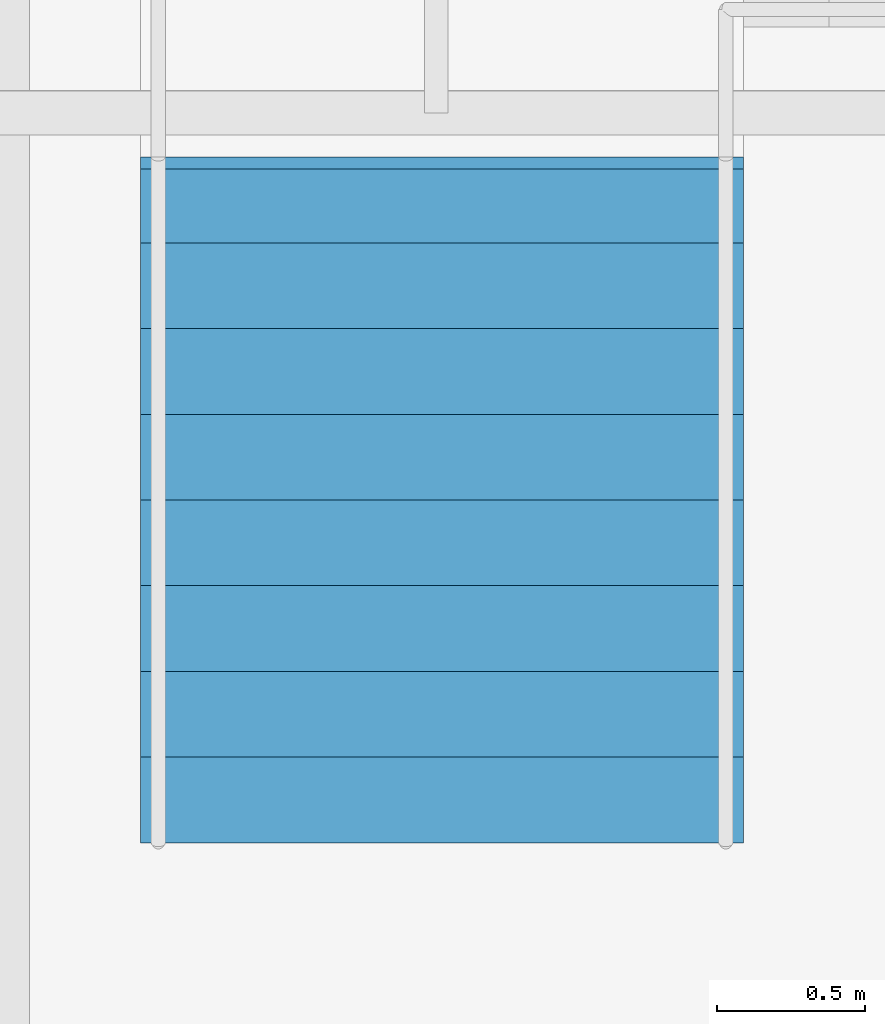
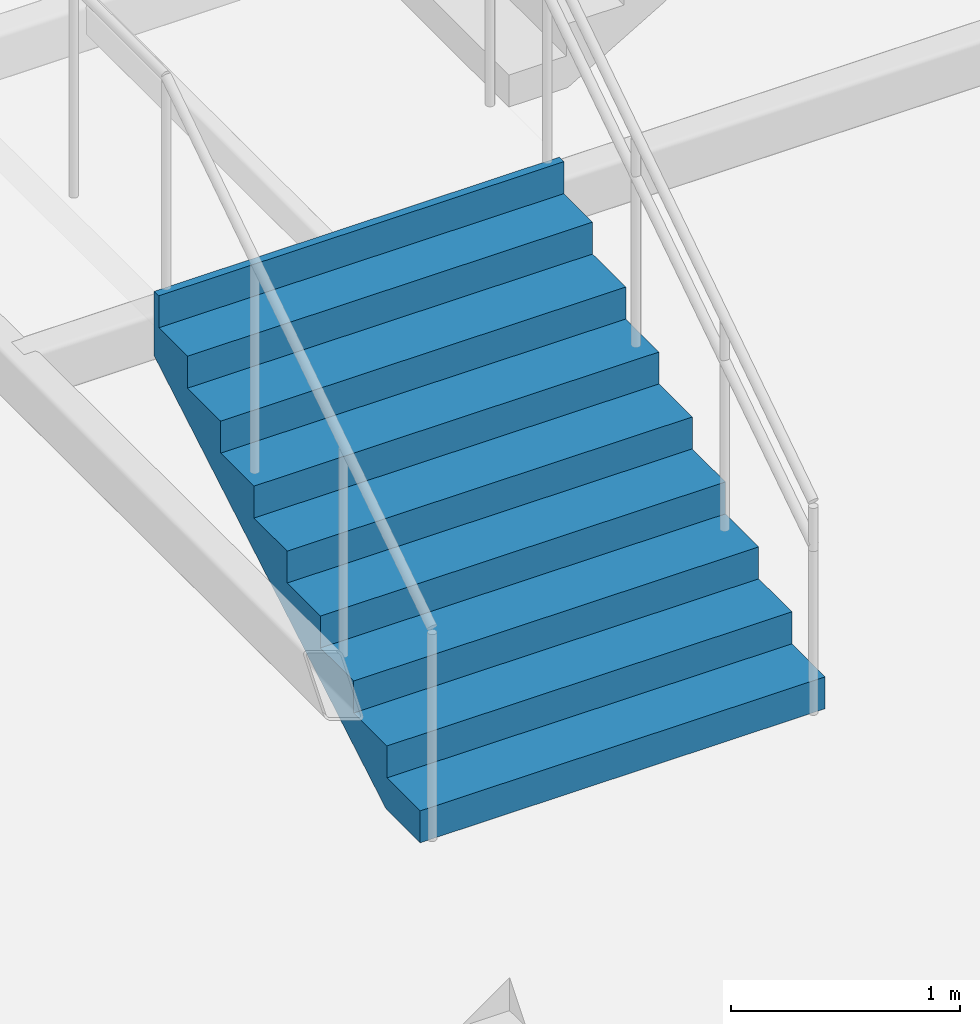
# One storey, part 46 of 58: 1 stair flight, 1 element without a shape of its own.
"""IFC4 building model written with IfcOpenShell, lengths in metres."""

from ifc_helpers import new_model, si_unit, direction, frame, origin, place, context, subcontext, project, spatial, triangles, material, type_object, element, aggregate, save


model = new_model("IFC4")

# Units and contexts
model_context = context("Model", 3, precision=1e-05, world=origin(), true_north=direction((0.0, 1.0)))
body_context = subcontext(model_context, "Body", "Model", "MODEL_VIEW")
ifc_project = project(units=[si_unit("LENGTHUNIT", "METRE"), si_unit("AREAUNIT", "SQUARE_METRE"), si_unit("VOLUMEUNIT", "CUBIC_METRE"), si_unit("PLANEANGLEUNIT", "RADIAN"), si_unit("MASSUNIT", "GRAM", prefix="KILO")], contexts=[model_context])

# Site, building, storey
site_placement = place(None, origin())
site = spatial("IfcSite", under=ifc_project, at=site_placement, CompositionType="ELEMENT")
building_placement = place(site_placement, origin())
building = spatial("IfcBuilding", under=site, at=building_placement, Name="Sillaruma Civic Art Gallery", CompositionType="ELEMENT")
storey_placement = place(building_placement, frame((0.0, 0.0, 28.56005859375)))
storey = spatial("IfcBuildingStorey", under=building, at=storey_placement, Name="L05", CompositionType="ELEMENT", Elevation=28.56005859375)

# Stair, stair flight
ifc_material = material(Name="Concrete H35 (35 MPa)", Category="concrete")
stair_type = type_object("IfcStairType", Name="STR-3F-27", PredefinedType="TWO_QUARTER_TURN_STAIR", material=ifc_material)
stair_placement = place(storey_placement, origin())
stair = element("IfcStair", 1, at=stair_placement, inside=storey, type_object=stair_type, Name="Monumental Gallery Feature Stair ST-G02 (L05)", PredefinedType="TWO_QUARTER_TURN_STAIR")
stair_flight_type = type_object("IfcStairFlightType", Name="SFL-STR-9", PredefinedType="STRAIGHT", material=ifc_material)
stair_flight_placement = place(storey_placement, frame((85.6201171875, 31.39990234375, 0.0), z_axis=(0.0, 0.0, 1.0), x_axis=(0.0, 1.0, 0.0)))
stair_flight = element("IfcStairFlight", 2, at=stair_flight_placement, type_object=stair_flight_type, Name="ST-G02 flight 1", NumberOfRisers=9, NumberOfTreads=8, PredefinedType="STRAIGHT", RiserHeight=0.17, TreadLength=0.29, context=body_context, shape_type="Tessellation", body=[
    triangles([(0.0, -1.02001953125, 0.0), (0.29, -1.02001953125, 0.0), (0.296482, -1.02001953125, 0.0), (0.58, -1.02001953125, 0.1662), (0.87, -1.02001953125, 0.3362), (1.16, -1.02001953125, 0.5062), (1.45, -1.02001953125, 0.6762), (1.74, -1.02001953125, 0.8462), (2.03, -1.02001953125, 1.0162), (2.280068, -1.02001953125, 1.162792), (2.320068, -1.02001953125, 1.18624), (2.320068, -1.02001953125, 1.53), (2.280068, -1.02001953125, 1.53), (2.280068, -1.02001953125, 1.36), (2.03, -1.02001953125, 1.36), (2.03, -1.02001953125, 1.19), (1.74, -1.02001953125, 1.19), (1.74, -1.02001953125, 1.02), (1.45, -1.02001953125, 1.02), (1.45, -1.02001953125, 0.85), (1.16, -1.02001953125, 0.85), (1.16, -1.02001953125, 0.68), (0.87, -1.02001953125, 0.68), (0.87, -1.02001953125, 0.51), (0.58, -1.02001953125, 0.51), (0.58, -1.02001953125, 0.34), (0.296482, -1.02001953125, 0.34), (0.29, -1.02001953125, 0.34), (0.29, -1.02001953125, 0.17), (0.0, -1.02001953125, 0.17), (0.0, -0.05, 0.0), (0.29, -0.05, 0.0), (0.296482, -0.05, 0.0), (0.58, -0.05, 0.1662), (0.87, -0.05, 0.3362), (1.16, -0.05, 0.5062), (1.45, -0.05, 0.6762), (1.74, -0.05, 0.8462), (2.03, -0.05, 1.0162), (2.280068, -0.05, 1.162792), (2.320068, -0.05, 1.18624), (2.320068, -0.05, 1.53), (2.280068, -0.05, 1.53), (2.280068, -0.05, 1.36), (2.03, -0.05, 1.36), (2.03, -0.05, 1.19), (1.74, -0.05, 1.19), (1.74, -0.05, 1.02), (1.45, -0.05, 1.02), (1.45, -0.05, 0.85), (1.16, -0.05, 0.85), (1.16, -0.05, 0.68), (0.87, -0.05, 0.68), (0.87, -0.05, 0.51), (0.58, -0.05, 0.51), (0.58, -0.05, 0.34), (0.296482, -0.05, 0.34), (0.29, -0.05, 0.34), (0.29, -0.05, 0.17), (0.0, -0.05, 0.17), (0.0, -0.0375, 0.0), (0.29, -0.0375, 0.0), (0.296482, -0.0375, 0.0), (0.58, -0.0375, 0.1662), (0.87, -0.0375, 0.3362), (1.16, -0.0375, 0.5062), (1.45, -0.0375, 0.6762), (1.74, -0.0375, 0.8462), (2.03, -0.0375, 1.0162), (2.280068, -0.0375, 1.162792), (2.320068, -0.0375, 1.18624), (2.320068, -0.0375, 1.53), (2.280068, -0.0375, 1.53), (2.280068, -0.0375, 1.36), (2.03, -0.0375, 1.36), (2.03, -0.0375, 1.19), (1.74, -0.0375, 1.19), (1.74, -0.0375, 1.02), (1.45, -0.0375, 1.02), (1.45, -0.0375, 0.85), (1.16, -0.0375, 0.85), (1.16, -0.0375, 0.68), (0.87, -0.0375, 0.68), (0.87, -0.0375, 0.51), (0.58, -0.0375, 0.51), (0.58, -0.0375, 0.34), (0.296482, -0.0375, 0.34), (0.29, -0.0375, 0.34), (0.29, -0.0375, 0.17), (0.0, -0.0375, 0.17), (0.0, -0.025, 0.0), (0.29, -0.025, 0.0), (0.296482, -0.025, 0.0), (0.58, -0.025, 0.1662), (0.87, -0.025, 0.3362), (1.16, -0.025, 0.5062), (1.45, -0.025, 0.6762), (1.74, -0.025, 0.8462), (2.03, -0.025, 1.0162), (2.280068, -0.025, 1.162792), (2.320068, -0.025, 1.18624), (2.320068, -0.025, 1.53), (2.280068, -0.025, 1.53), (2.280068, -0.025, 1.36), (2.03, -0.025, 1.36), (2.03, -0.025, 1.19), (1.74, -0.025, 1.19), (1.74, -0.025, 1.02), (1.45, -0.025, 1.02), (1.45, -0.025, 0.85), (1.16, -0.025, 0.85), (1.16, -0.025, 0.68), (0.87, -0.025, 0.68), (0.87, -0.025, 0.51), (0.58, -0.025, 0.51), (0.58, -0.025, 0.34), (0.296482, -0.025, 0.34), (0.29, -0.025, 0.34), (0.29, -0.025, 0.17), (0.0, -0.025, 0.17), (0.0, -0.0125, 0.0), (0.29, -0.0125, 0.0), (0.296482, -0.0125, 0.0), (0.58, -0.0125, 0.1662), (0.87, -0.0125, 0.3362), (1.16, -0.0125, 0.5062), (1.45, -0.0125, 0.6762), (1.74, -0.0125, 0.8462), (2.03, -0.0125, 1.0162), (2.280068, -0.0125, 1.162792), (2.320068, -0.0125, 1.18624), (2.320068, -0.0125, 1.53), (2.280068, -0.0125, 1.53), (2.280068, -0.0125, 1.36), (2.03, -0.0125, 1.36), (2.03, -0.0125, 1.19), (1.74, -0.0125, 1.19), (1.74, -0.0125, 1.02), (1.45, -0.0125, 1.02), (1.45, -0.0125, 0.85), (1.16, -0.0125, 0.85), (1.16, -0.0125, 0.68), (0.87, -0.0125, 0.68), (0.87, -0.0125, 0.51), (0.58, -0.0125, 0.51), (0.58, -0.0125, 0.34), (0.296482, -0.0125, 0.34), (0.29, -0.0125, 0.34), (0.29, -0.0125, 0.17), (0.0, -0.0125, 0.17), (0.0, 0.0, 0.0), (0.29, 0.0, 0.0), (0.296482, 0.0, 0.0), (0.58, 0.0, 0.1662), (0.87, 0.0, 0.3362), (1.16, 0.0, 0.5062), (1.45, 0.0, 0.6762), (1.74, 0.0, 0.8462), (2.03, 0.0, 1.0162), (2.280068, 0.0, 1.162792), (2.320068, 0.0, 1.18624), (2.320068, 0.0, 1.53), (2.280068, 0.0, 1.53), (2.280068, 0.0, 1.36), (2.03, 0.0, 1.36), (2.03, 0.0, 1.19), (1.74, 0.0, 1.19), (1.74, 0.0, 1.02), (1.45, 0.0, 1.02), (1.45, 0.0, 0.85), (1.16, 0.0, 0.85), (1.16, 0.0, 0.68), (0.87, 0.0, 0.68), (0.87, 0.0, 0.51), (0.58, 0.0, 0.51), (0.58, 0.0, 0.34), (0.296482, 0.0, 0.34), (0.29, 0.0, 0.34), (0.29, 0.0, 0.17), (0.0, 0.0, 0.17), (0.0, 0.0125, 0.0), (0.29, 0.0125, 0.0), (0.296482, 0.0125, 0.0), (0.58, 0.0125, 0.1662), (0.87, 0.0125, 0.3362), (1.16, 0.0125, 0.5062), (1.45, 0.0125, 0.6762), (1.74, 0.0125, 0.8462), (2.03, 0.0125, 1.0162), (2.280068, 0.0125, 1.162792), (2.320068, 0.0125, 1.18624), (2.320068, 0.0125, 1.53), (2.280068, 0.0125, 1.53), (2.280068, 0.0125, 1.36), (2.03, 0.0125, 1.36), (2.03, 0.0125, 1.19), (1.74, 0.0125, 1.19), (1.74, 0.0125, 1.02), (1.45, 0.0125, 1.02), (1.45, 0.0125, 0.85), (1.16, 0.0125, 0.85), (1.16, 0.0125, 0.68), (0.87, 0.0125, 0.68), (0.87, 0.0125, 0.51), (0.58, 0.0125, 0.51), (0.58, 0.0125, 0.34), (0.296482, 0.0125, 0.34), (0.29, 0.0125, 0.34), (0.29, 0.0125, 0.17), (0.0, 0.0125, 0.17), (0.0, 0.025, 0.0), (0.29, 0.025, 0.0), (0.296482, 0.025, 0.0), (0.58, 0.025, 0.1662), (0.87, 0.025, 0.3362), (1.16, 0.025, 0.5062), (1.45, 0.025, 0.6762), (1.74, 0.025, 0.8462), (2.03, 0.025, 1.0162), (2.280068, 0.025, 1.162792), (2.320068, 0.025, 1.18624), (2.320068, 0.025, 1.53), (2.280068, 0.025, 1.53), (2.280068, 0.025, 1.36), (2.03, 0.025, 1.36), (2.03, 0.025, 1.19), (1.74, 0.025, 1.19), (1.74, 0.025, 1.02), (1.45, 0.025, 1.02), (1.45, 0.025, 0.85), (1.16, 0.025, 0.85), (1.16, 0.025, 0.68), (0.87, 0.025, 0.68), (0.87, 0.025, 0.51), (0.58, 0.025, 0.51), (0.58, 0.025, 0.34), (0.296482, 0.025, 0.34), (0.29, 0.025, 0.34), (0.29, 0.025, 0.17), (0.0, 0.025, 0.17), (0.0, 0.0375, 0.0), (0.29, 0.0375, 0.0), (0.296482, 0.0375, 0.0), (0.58, 0.0375, 0.1662), (0.87, 0.0375, 0.3362), (1.16, 0.0375, 0.5062), (1.45, 0.0375, 0.6762), (1.74, 0.0375, 0.8462), (2.03, 0.0375, 1.0162), (2.280068, 0.0375, 1.162792), (2.320068, 0.0375, 1.18624), (2.320068, 0.0375, 1.53), (2.280068, 0.0375, 1.53), (2.280068, 0.0375, 1.36), (2.03, 0.0375, 1.36), (2.03, 0.0375, 1.19), (1.74, 0.0375, 1.19), (1.74, 0.0375, 1.02), (1.45, 0.0375, 1.02), (1.45, 0.0375, 0.85), (1.16, 0.0375, 0.85), (1.16, 0.0375, 0.68), (0.87, 0.0375, 0.68), (0.87, 0.0375, 0.51), (0.58, 0.0375, 0.51), (0.58, 0.0375, 0.34), (0.296482, 0.0375, 0.34), (0.29, 0.0375, 0.34), (0.29, 0.0375, 0.17), (0.0, 0.0375, 0.17), (0.0, 0.05, 0.0), (0.29, 0.05, 0.0), (0.296482, 0.05, 0.0), (0.58, 0.05, 0.1662), (0.87, 0.05, 0.3362), (1.16, 0.05, 0.5062), (1.45, 0.05, 0.6762), (1.74, 0.05, 0.8462), (2.03, 0.05, 1.0162), (2.280068, 0.05, 1.162792), (2.320068, 0.05, 1.18624), (2.320068, 0.05, 1.53), (2.280068, 0.05, 1.53), (2.280068, 0.05, 1.36), (2.03, 0.05, 1.36), (2.03, 0.05, 1.19), (1.74, 0.05, 1.19), (1.74, 0.05, 1.02), (1.45, 0.05, 1.02), (1.45, 0.05, 0.85), (1.16, 0.05, 0.85), (1.16, 0.05, 0.68), (0.87, 0.05, 0.68), (0.87, 0.05, 0.51), (0.58, 0.05, 0.51), (0.58, 0.05, 0.34), (0.296482, 0.05, 0.34), (0.29, 0.05, 0.34), (0.29, 0.05, 0.17), (0.0, 0.05, 0.17), (0.0, 1.02001953125, 0.0), (0.29, 1.02001953125, 0.0), (0.296482, 1.02001953125, 0.0), (0.58, 1.02001953125, 0.1662), (0.87, 1.02001953125, 0.3362), (1.16, 1.02001953125, 0.5062), (1.45, 1.02001953125, 0.6762), (1.74, 1.02001953125, 0.8462), (2.03, 1.02001953125, 1.0162), (2.280068, 1.02001953125, 1.162792), (2.320068, 1.02001953125, 1.18624), (2.320068, 1.02001953125, 1.53), (2.280068, 1.02001953125, 1.53), (2.280068, 1.02001953125, 1.36), (2.03, 1.02001953125, 1.36), (2.03, 1.02001953125, 1.19), (1.74, 1.02001953125, 1.19), (1.74, 1.02001953125, 1.02), (1.45, 1.02001953125, 1.02), (1.45, 1.02001953125, 0.85), (1.16, 1.02001953125, 0.85), (1.16, 1.02001953125, 0.68), (0.87, 1.02001953125, 0.68), (0.87, 1.02001953125, 0.51), (0.58, 1.02001953125, 0.51), (0.58, 1.02001953125, 0.34), (0.296482, 1.02001953125, 0.34), (0.29, 1.02001953125, 0.34), (0.29, 1.02001953125, 0.17), (0.0, 1.02001953125, 0.17)], [[1, 2, 29], [1, 29, 30], [2, 3, 27], [2, 27, 29], [29, 27, 28], [3, 4, 26], [3, 26, 27], [4, 5, 24], [4, 24, 26], [26, 24, 25], [5, 6, 22], [5, 22, 24], [24, 22, 23], [6, 7, 20], [6, 20, 22], [22, 20, 21], [7, 8, 18], [7, 18, 20], [20, 18, 19], [8, 9, 16], [8, 16, 18], [18, 16, 17], [9, 10, 14], [9, 14, 16], [16, 14, 15], [10, 11, 12], [10, 12, 14], [14, 12, 13], [329, 302, 301], [330, 329, 301], [327, 303, 302], [329, 327, 302], [328, 327, 329], [326, 304, 303], [327, 326, 303], [324, 305, 304], [326, 324, 304], [325, 324, 326], [322, 306, 305], [324, 322, 305], [323, 322, 324], [320, 307, 306], [322, 320, 306], [321, 320, 322], [318, 308, 307], [320, 318, 307], [319, 318, 320], [316, 309, 308], [318, 316, 308], [317, 316, 318], [314, 310, 309], [316, 314, 309], [315, 314, 316], [312, 311, 310], [314, 312, 310], [313, 312, 314], [2, 1, 31], [2, 31, 32], [3, 2, 32], [3, 32, 33], [4, 3, 33], [4, 33, 34], [5, 4, 34], [5, 34, 35], [6, 5, 35], [6, 35, 36], [7, 6, 36], [7, 36, 37], [8, 7, 37], [8, 37, 38], [9, 8, 38], [9, 38, 39], [10, 9, 39], [10, 39, 40], [11, 10, 40], [11, 40, 41], [12, 11, 41], [12, 41, 42], [13, 12, 42], [13, 42, 43], [14, 13, 43], [14, 43, 44], [15, 14, 44], [15, 44, 45], [16, 15, 45], [16, 45, 46], [17, 16, 46], [17, 46, 47], [18, 17, 47], [18, 47, 48], [19, 18, 48], [19, 48, 49], [20, 19, 49], [20, 49, 50], [21, 20, 50], [21, 50, 51], [22, 21, 51], [22, 51, 52], [23, 22, 52], [23, 52, 53], [24, 23, 53], [24, 53, 54], [25, 24, 54], [25, 54, 55], [26, 25, 55], [26, 55, 56], [27, 26, 56], [27, 56, 57], [28, 27, 57], [28, 57, 58], [29, 28, 58], [29, 58, 59], [30, 29, 59], [30, 59, 60], [1, 30, 60], [1, 60, 31], [32, 31, 61], [32, 61, 62], [33, 32, 62], [33, 62, 63], [34, 33, 63], [34, 63, 64], [35, 34, 64], [35, 64, 65], [36, 35, 65], [36, 65, 66], [37, 36, 66], [37, 66, 67], [38, 37, 67], [38, 67, 68], [39, 38, 68], [39, 68, 69], [40, 39, 69], [40, 69, 70], [41, 40, 70], [41, 70, 71], [42, 41, 71], [42, 71, 72], [43, 42, 72], [43, 72, 73], [44, 43, 73], [44, 73, 74], [45, 44, 74], [45, 74, 75], [46, 45, 75], [46, 75, 76], [47, 46, 76], [47, 76, 77], [48, 47, 77], [48, 77, 78], [49, 48, 78], [49, 78, 79], [50, 49, 79], [50, 79, 80], [51, 50, 80], [51, 80, 81], [52, 51, 81], [52, 81, 82], [53, 52, 82], [53, 82, 83], [54, 53, 83], [54, 83, 84], [55, 54, 84], [55, 84, 85], [56, 55, 85], [56, 85, 86], [57, 56, 86], [57, 86, 87], [58, 57, 87], [58, 87, 88], [59, 58, 88], [59, 88, 89], [60, 59, 89], [60, 89, 90], [31, 60, 90], [31, 90, 61], [62, 61, 91], [62, 91, 92], [63, 62, 92], [63, 92, 93], [64, 63, 93], [64, 93, 94], [65, 64, 94], [65, 94, 95], [66, 65, 95], [66, 95, 96], [67, 66, 96], [67, 96, 97], [68, 67, 97], [68, 97, 98], [69, 68, 98], [69, 98, 99], [70, 69, 99], [70, 99, 100], [71, 70, 100], [71, 100, 101], [72, 71, 101], [72, 101, 102], [73, 72, 102], [73, 102, 103], [74, 73, 103], [74, 103, 104], [75, 74, 104], [75, 104, 105], [76, 75, 105], [76, 105, 106], [77, 76, 106], [77, 106, 107], [78, 77, 107], [78, 107, 108], [79, 78, 108], [79, 108, 109], [80, 79, 109], [80, 109, 110], [81, 80, 110], [81, 110, 111], [82, 81, 111], [82, 111, 112], [83, 82, 112], [83, 112, 113], [84, 83, 113], [84, 113, 114], [85, 84, 114], [85, 114, 115], [86, 85, 115], [86, 115, 116], [87, 86, 116], [87, 116, 117], [88, 87, 117], [88, 117, 118], [89, 88, 118], [89, 118, 119], [90, 89, 119], [90, 119, 120], [61, 90, 120], [61, 120, 91], [92, 91, 121], [92, 121, 122], [93, 92, 122], [93, 122, 123], [94, 93, 123], [94, 123, 124], [95, 94, 124], [95, 124, 125], [96, 95, 125], [96, 125, 126], [97, 96, 126], [97, 126, 127], [98, 97, 127], [98, 127, 128], [99, 98, 128], [99, 128, 129], [100, 99, 129], [100, 129, 130], [101, 100, 130], [101, 130, 131], [102, 101, 131], [102, 131, 132], [103, 102, 132], [103, 132, 133], [104, 103, 133], [104, 133, 134], [105, 104, 134], [105, 134, 135], [106, 105, 135], [106, 135, 136], [107, 106, 136], [107, 136, 137], [108, 107, 137], [108, 137, 138], [109, 108, 138], [109, 138, 139], [110, 109, 139], [110, 139, 140], [111, 110, 140], [111, 140, 141], [112, 111, 141], [112, 141, 142], [113, 112, 142], [113, 142, 143], [114, 113, 143], [114, 143, 144], [115, 114, 144], [115, 144, 145], [116, 115, 145], [116, 145, 146], [117, 116, 146], [117, 146, 147], [118, 117, 147], [118, 147, 148], [119, 118, 148], [119, 148, 149], [120, 119, 149], [120, 149, 150], [91, 120, 150], [91, 150, 121], [122, 121, 151], [122, 151, 152], [123, 122, 152], [123, 152, 153], [124, 123, 153], [124, 153, 154], [125, 124, 154], [125, 154, 155], [126, 125, 155], [126, 155, 156], [127, 126, 156], [127, 156, 157], [128, 127, 157], [128, 157, 158], [129, 128, 158], [129, 158, 159], [130, 129, 159], [130, 159, 160], [131, 130, 160], [131, 160, 161], [132, 131, 161], [132, 161, 162], [133, 132, 162], [133, 162, 163], [134, 133, 163], [134, 163, 164], [135, 134, 164], [135, 164, 165], [136, 135, 165], [136, 165, 166], [137, 136, 166], [137, 166, 167], [138, 137, 167], [138, 167, 168], [139, 138, 168], [139, 168, 169], [140, 139, 169], [140, 169, 170], [141, 140, 170], [141, 170, 171], [142, 141, 171], [142, 171, 172], [143, 142, 172], [143, 172, 173], [144, 143, 173], [144, 173, 174], [145, 144, 174], [145, 174, 175], [146, 145, 175], [146, 175, 176], [147, 146, 176], [147, 176, 177], [148, 147, 177], [148, 177, 178], [149, 148, 178], [149, 178, 179], [150, 149, 179], [150, 179, 180], [121, 150, 180], [121, 180, 151], [152, 151, 181], [152, 181, 182], [153, 152, 182], [153, 182, 183], [154, 153, 183], [154, 183, 184], [155, 154, 184], [155, 184, 185], [156, 155, 185], [156, 185, 186], [157, 156, 186], [157, 186, 187], [158, 157, 187], [158, 187, 188], [159, 158, 188], [159, 188, 189], [160, 159, 189], [160, 189, 190], [161, 160, 190], [161, 190, 191], [162, 161, 191], [162, 191, 192], [163, 162, 192], [163, 192, 193], [164, 163, 193], [164, 193, 194], [165, 164, 194], [165, 194, 195], [166, 165, 195], [166, 195, 196], [167, 166, 196], [167, 196, 197], [168, 167, 197], [168, 197, 198], [169, 168, 198], [169, 198, 199], [170, 169, 199], [170, 199, 200], [171, 170, 200], [171, 200, 201], [172, 171, 201], [172, 201, 202], [173, 172, 202], [173, 202, 203], [174, 173, 203], [174, 203, 204], [175, 174, 204], [175, 204, 205], [176, 175, 205], [176, 205, 206], [177, 176, 206], [177, 206, 207], [178, 177, 207], [178, 207, 208], [179, 178, 208], [179, 208, 209], [180, 179, 209], [180, 209, 210], [151, 180, 210], [151, 210, 181], [182, 181, 211], [182, 211, 212], [183, 182, 212], [183, 212, 213], [184, 183, 213], [184, 213, 214], [185, 184, 214], [185, 214, 215], [186, 185, 215], [186, 215, 216], [187, 186, 216], [187, 216, 217], [188, 187, 217], [188, 217, 218], [189, 188, 218], [189, 218, 219], [190, 189, 219], [190, 219, 220], [191, 190, 220], [191, 220, 221], [192, 191, 221], [192, 221, 222], [193, 192, 222], [193, 222, 223], [194, 193, 223], [194, 223, 224], [195, 194, 224], [195, 224, 225], [196, 195, 225], [196, 225, 226], [197, 196, 226], [197, 226, 227], [198, 197, 227], [198, 227, 228], [199, 198, 228], [199, 228, 229], [200, 199, 229], [200, 229, 230], [201, 200, 230], [201, 230, 231], [202, 201, 231], [202, 231, 232], [203, 202, 232], [203, 232, 233], [204, 203, 233], [204, 233, 234], [205, 204, 234], [205, 234, 235], [206, 205, 235], [206, 235, 236], [207, 206, 236], [207, 236, 237], [208, 207, 237], [208, 237, 238], [209, 208, 238], [209, 238, 239], [210, 209, 239], [210, 239, 240], [181, 210, 240], [181, 240, 211], [212, 211, 241], [212, 241, 242], [213, 212, 242], [213, 242, 243], [214, 213, 243], [214, 243, 244], [215, 214, 244], [215, 244, 245], [216, 215, 245], [216, 245, 246], [217, 216, 246], [217, 246, 247], [218, 217, 247], [218, 247, 248], [219, 218, 248], [219, 248, 249], [220, 219, 249], [220, 249, 250], [221, 220, 250], [221, 250, 251], [222, 221, 251], [222, 251, 252], [223, 222, 252], [223, 252, 253], [224, 223, 253], [224, 253, 254], [225, 224, 254], [225, 254, 255], [226, 225, 255], [226, 255, 256], [227, 226, 256], [227, 256, 257], [228, 227, 257], [228, 257, 258], [229, 228, 258], [229, 258, 259], [230, 229, 259], [230, 259, 260], [231, 230, 260], [231, 260, 261], [232, 231, 261], [232, 261, 262], [233, 232, 262], [233, 262, 263], [234, 233, 263], [234, 263, 264], [235, 234, 264], [235, 264, 265], [236, 235, 265], [236, 265, 266], [237, 236, 266], [237, 266, 267], [238, 237, 267], [238, 267, 268], [239, 238, 268], [239, 268, 269], [240, 239, 269], [240, 269, 270], [211, 240, 270], [211, 270, 241], [242, 241, 271], [242, 271, 272], [243, 242, 272], [243, 272, 273], [244, 243, 273], [244, 273, 274], [245, 244, 274], [245, 274, 275], [246, 245, 275], [246, 275, 276], [247, 246, 276], [247, 276, 277], [248, 247, 277], [248, 277, 278], [249, 248, 278], [249, 278, 279], [250, 249, 279], [250, 279, 280], [251, 250, 280], [251, 280, 281], [252, 251, 281], [252, 281, 282], [253, 252, 282], [253, 282, 283], [254, 253, 283], [254, 283, 284], [255, 254, 284], [255, 284, 285], [256, 255, 285], [256, 285, 286], [257, 256, 286], [257, 286, 287], [258, 257, 287], [258, 287, 288], [259, 258, 288], [259, 288, 289], [260, 259, 289], [260, 289, 290], [261, 260, 290], [261, 290, 291], [262, 261, 291], [262, 291, 292], [263, 262, 292], [263, 292, 293], [264, 263, 293], [264, 293, 294], [265, 264, 294], [265, 294, 295], [266, 265, 295], [266, 295, 296], [267, 266, 296], [267, 296, 297], [268, 267, 297], [268, 297, 298], [269, 268, 298], [269, 298, 299], [270, 269, 299], [270, 299, 300], [241, 270, 300], [241, 300, 271], [272, 271, 301], [272, 301, 302], [273, 272, 302], [273, 302, 303], [274, 273, 303], [274, 303, 304], [275, 274, 304], [275, 304, 305], [276, 275, 305], [276, 305, 306], [277, 276, 306], [277, 306, 307], [278, 277, 307], [278, 307, 308], [279, 278, 308], [279, 308, 309], [280, 279, 309], [280, 309, 310], [281, 280, 310], [281, 310, 311], [282, 281, 311], [282, 311, 312], [283, 282, 312], [283, 312, 313], [284, 283, 313], [284, 313, 314], [285, 284, 314], [285, 314, 315], [286, 285, 315], [286, 315, 316], [287, 286, 316], [287, 316, 317], [288, 287, 317], [288, 317, 318], [289, 288, 318], [289, 318, 319], [290, 289, 319], [290, 319, 320], [291, 290, 320], [291, 320, 321], [292, 291, 321], [292, 321, 322], [293, 292, 322], [293, 322, 323], [294, 293, 323], [294, 323, 324], [295, 294, 324], [295, 324, 325], [296, 295, 325], [296, 325, 326], [297, 296, 326], [297, 326, 327], [298, 297, 327], [298, 327, 328], [299, 298, 328], [299, 328, 329], [300, 299, 329], [300, 329, 330], [271, 300, 330], [271, 330, 301]], closed=True),
])
aggregate(stair, [stair_flight])

save(model, "model.ifc")
